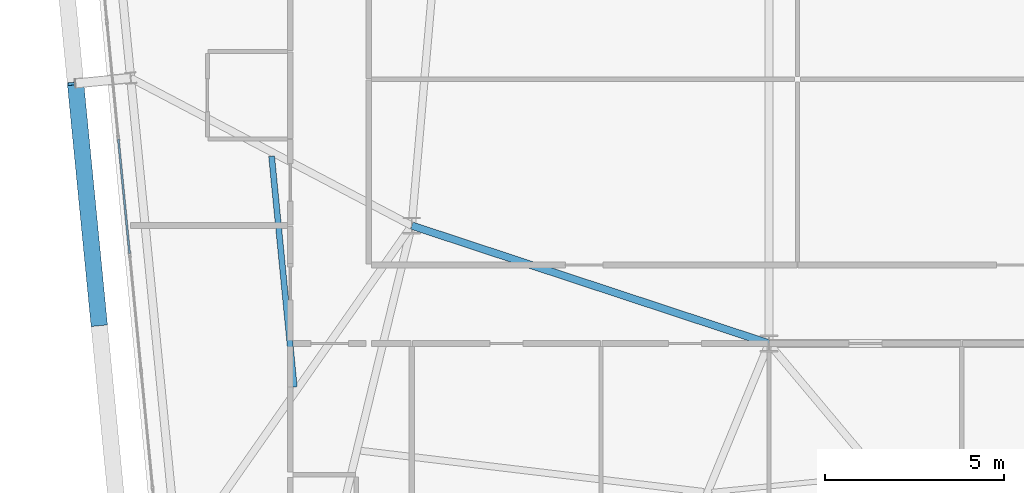
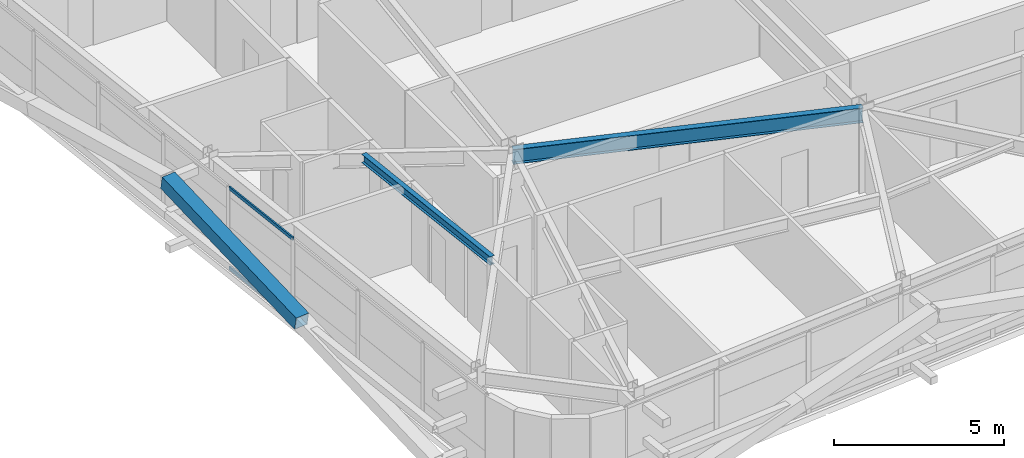
# One storey, part 9 of 54: 3 members, 2 beams, 1 element without a shape of its own.
"""IFC4 building model written with IfcOpenShell, lengths in metres."""

from ifc_helpers import new_model, si_unit, direction, frame, origin, origin_2d, place, context, subcontext, project, spatial, hollow_rectangle, i_section, extrude, source, transform, mapped, material, layer, layer_set, material_profile, profile_set, type_object, element, aggregate, save


model = new_model("IFC4")

# Units and contexts
model_context = context("Model", 3, precision=1e-05, world=origin(), true_north=direction((0.0, 1.0)))
body_context = subcontext(model_context, "Body", "Model", "MODEL_VIEW")
ifc_project = project(units=[si_unit("LENGTHUNIT", "METRE"), si_unit("AREAUNIT", "SQUARE_METRE"), si_unit("VOLUMEUNIT", "CUBIC_METRE"), si_unit("PLANEANGLEUNIT", "RADIAN"), si_unit("MASSUNIT", "GRAM", prefix="KILO")], contexts=[model_context])

# Site, building, storey
site_placement = place(None, origin())
site = spatial("IfcSite", under=ifc_project, at=site_placement, CompositionType="ELEMENT")
building_placement = place(site_placement, origin())
building = spatial("IfcBuilding", under=site, at=building_placement, Name="Taldren Reach Tower", CompositionType="ELEMENT")
storey_placement = place(building_placement, frame((0.0, 0.0, 99.75)))
storey = spatial("IfcBuildingStorey", under=building, at=storey_placement, Name="L30", CompositionType="ELEMENT", Elevation=99.75)

# Beams
ifc_material_1 = material(Name="Steel Gr 350 (350PLUS)", Category="steel")
ifc_material_profile_1 = material_profile(ifc_material_1, i_section(OverallWidth=0.208984375, OverallDepth=0.532958984375, WebThickness=0.01025390625, FlangeThickness=0.015625, at=origin_2d()), Name="530UB92.4")
ifc_profile_set_1 = profile_set([ifc_material_profile_1], Name="Steel Gr 350 (350PLUS)")
beam_type_1 = type_object("IfcBeamType", Name="BM-UB530A", PredefinedType="BEAM", material=ifc_profile_set_1)
shared_shape_1 = source(origin(), body_context, "Body", "SweptSolid", [
    extrude(i_section(OverallWidth=0.208984375, OverallDepth=0.532958984375, WebThickness=0.01025390625, FlangeThickness=0.015625, at=origin_2d()), origin(), (0.0, 0.0, 1.0), 10.530517578125),
])
beam_1_placement = place(storey_placement, frame((18.0, 12.5, 2.66357421875), z_axis=(0.949627269203, -0.313381635689, 0.0), x_axis=(0.313381635689, 0.949627269203, 0.0)))
element("IfcBeam", 1, at=beam_1_placement, inside=storey, type_object=beam_type_1, Name="Core-spine girder L30-SP10", PredefinedType="BEAM", context=body_context, shape_type="MappedRepresentation", body=[
    mapped(shared_shape_1, transform((0.0, 0.0, 0.0), scale=1.0)),
])
ifc_material_2 = material(Name="Steel Gr 300 (300PLUS, 300 MPa)", Category="steel")
ifc_material_profile_2 = material_profile(ifc_material_2, i_section(OverallWidth=0.166015625, OverallDepth=0.306884765625, WebThickness=0.006591796875, FlangeThickness=0.01171875, at=origin_2d()), Name="310UB46.2")
ifc_profile_set_2 = profile_set([ifc_material_profile_2], Name="Steel Gr 300 (300PLUS, 300 MPa)")
beam_type_2 = type_object("IfcBeamType", Name="JS-UB310", PredefinedType="JOIST", material=ifc_profile_set_2)
shared_shape_2 = source(origin(), body_context, "Body", "SweptSolid", [
    extrude(i_section(OverallWidth=0.166015625, OverallDepth=0.306884765625, WebThickness=0.006591796875, FlangeThickness=0.01171875, at=origin_2d()), origin(), (0.0, 0.0, 1.0), 6.489501953125),
])
beam_2_placement = place(storey_placement, frame((14.710693359375, 7.982666015625, 2.776611328125), z_axis=(-0.097588959486, 0.995226805802, 0.0), x_axis=(-0.995226805802, -0.097588959486, 0.0)))
element("IfcBeam", 2, at=beam_2_placement, inside=storey, type_object=beam_type_2, Name="Secondary floor joist B2 J6 L30", PredefinedType="JOIST", context=body_context, shape_type="MappedRepresentation", body=[
    mapped(shared_shape_2, transform((0.0, 0.0, 0.0), scale=1.0)),
])

# Member
ifc_material_3 = material(Name="Steel Gr 450 (C450L0)", Category="steel")
ifc_material_profile_3 = material_profile(ifc_material_3, hollow_rectangle(XDim=0.4599609375, YDim=0.4599609375, WallThickness=0.01611328125, at=origin_2d()), Name="460x460x16.0SHS")
ifc_profile_set_3 = profile_set([ifc_material_profile_3], Name="Steel Gr 450 (C450L0)")
member_type_1 = type_object("IfcMemberType", Name="MB-EXO457", PredefinedType="BRACE", material=ifc_profile_set_3)
shared_shape_3 = source(origin(), body_context, "Body", "SweptSolid", [
    extrude(hollow_rectangle(XDim=0.4599609375, YDim=0.4599609375, WallThickness=0.01611328125, at=origin_2d()), origin(), (0.0, 0.0, 1.0), 6.8828125),
])
member_1_placement = place(storey_placement, frame((9.2490234375, 9.7373046875, 1.43505859375), z_axis=(-0.096055397146, 0.979601884409, 0.176503565804), x_axis=(-0.995226946838, -0.097587521166, 0.0)))
element("IfcMember", 3, at=member_1_placement, inside=storey, type_object=member_type_1, Name="Exoskeleton Diagrid Brace B2-W1 L30", PredefinedType="BRACE", context=body_context, shape_type="MappedRepresentation", body=[
    mapped(shared_shape_3, transform((0.0, 0.0, 0.0), scale=1.0)),
])

# Curtain wall, members
ifc_material_4 = material(Name="Aluminium and Low-E Glass Unitised System", Category="aluminium")
ifc_layer = layer(ifc_material_4, 0.159912109375)
ifc_layer_set = layer_set([ifc_layer], Name="Aluminium and Low-E Glass Unitised System")
curtain_wall_type = type_object("IfcCurtainWallType", Name="CW-SYS-3", PredefinedType="NOTDEFINED", material=ifc_layer_set)
curtain_wall_placement = place(storey_placement, origin())
curtain_wall = element("IfcCurtainWall", 4, at=curtain_wall_placement, inside=storey, type_object=curtain_wall_type, Name="Unitised curtain wall CW-L30-W", PredefinedType="NOTDEFINED")
ifc_material_5 = material(Name="Anodised Aluminium 6063-T6", Category="aluminium")
ifc_material_profile_4 = material_profile(ifc_material_5, hollow_rectangle(XDim=0.054931640625, YDim=0.1201171875, WallThickness=0.0029296875, at=origin_2d()), Name="ALU-120x55x3RHS")
ifc_profile_set_4 = profile_set([ifc_material_profile_4], Name="Anodised Aluminium 6063-T6")
member_type_2 = type_object("IfcMemberType", Name="CW-TRN-135", PredefinedType="USERDEFINED", material=ifc_profile_set_4)
shared_shape_4 = source(origin(), body_context, "Body", "SweptSolid", [
    extrude(hollow_rectangle(XDim=0.054931640625, YDim=0.1201171875, WallThickness=0.0029296875, at=origin_2d()), origin(), (0.0, 0.0, 1.0), 3.212890625),
])
member_2_placement = place(storey_placement, frame((9.7861328125, 14.91796875, 0.027587890625), z_axis=(0.097569948235, -0.995228669805, 0.0), x_axis=(0.995228669805, 0.097569948235, 0.0)))
member_2 = element("IfcMember", 5, at=member_2_placement, type_object=member_type_2, Name="CW-3 transom 6.1", ObjectType="TRANSOM", PredefinedType="USERDEFINED", context=body_context, shape_type="MappedRepresentation", body=[
    mapped(shared_shape_4, transform((0.0, 0.0, 0.0), scale=1.0)),
])
member_3_placement = place(storey_placement, frame((9.7861328125, 14.91796875, 2.902587890625), z_axis=(0.097569948235, -0.995228669805, 0.0), x_axis=(0.995228669805, 0.097569948235, 0.0)))
member_3 = element("IfcMember", 6, at=member_3_placement, type_object=member_type_2, Name="CW-3 transom 6.2", ObjectType="TRANSOM", PredefinedType="USERDEFINED", context=body_context, shape_type="MappedRepresentation", body=[
    mapped(shared_shape_4, transform((0.0, 0.0, 0.0), scale=1.0)),
])
aggregate(curtain_wall, [member_2, member_3])

save(model, "model.ifc")
